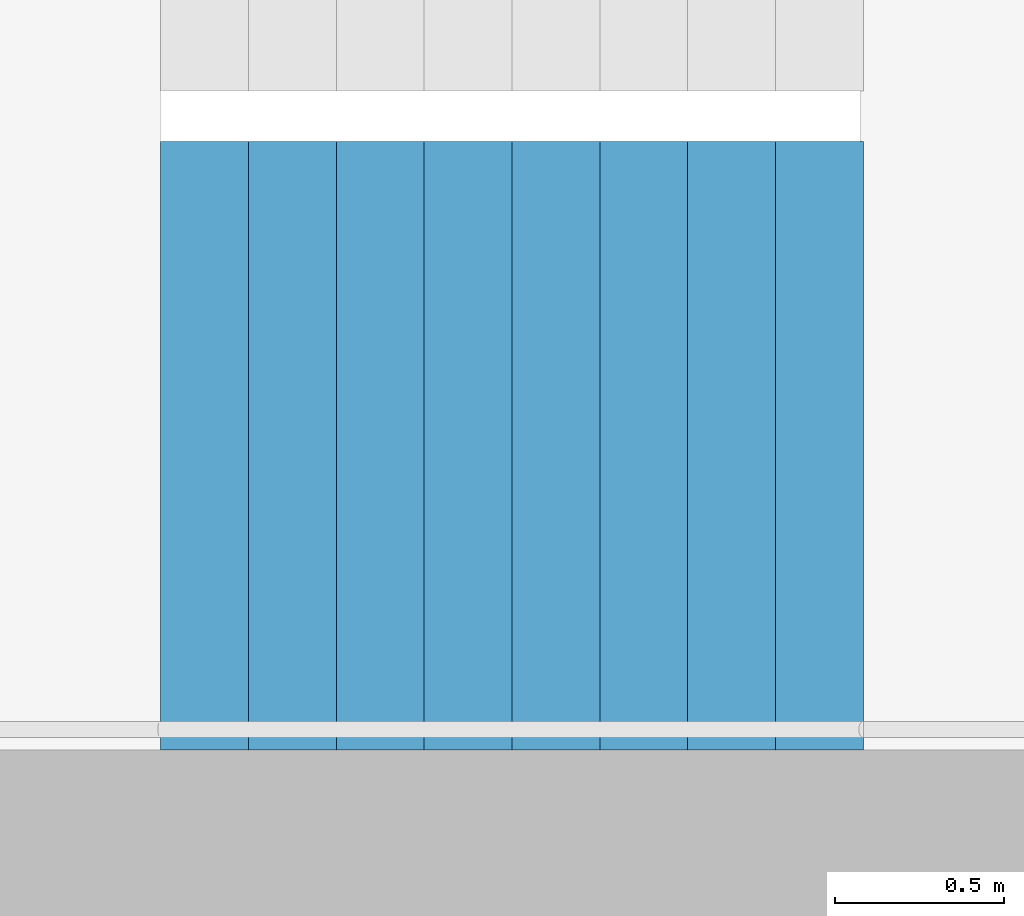
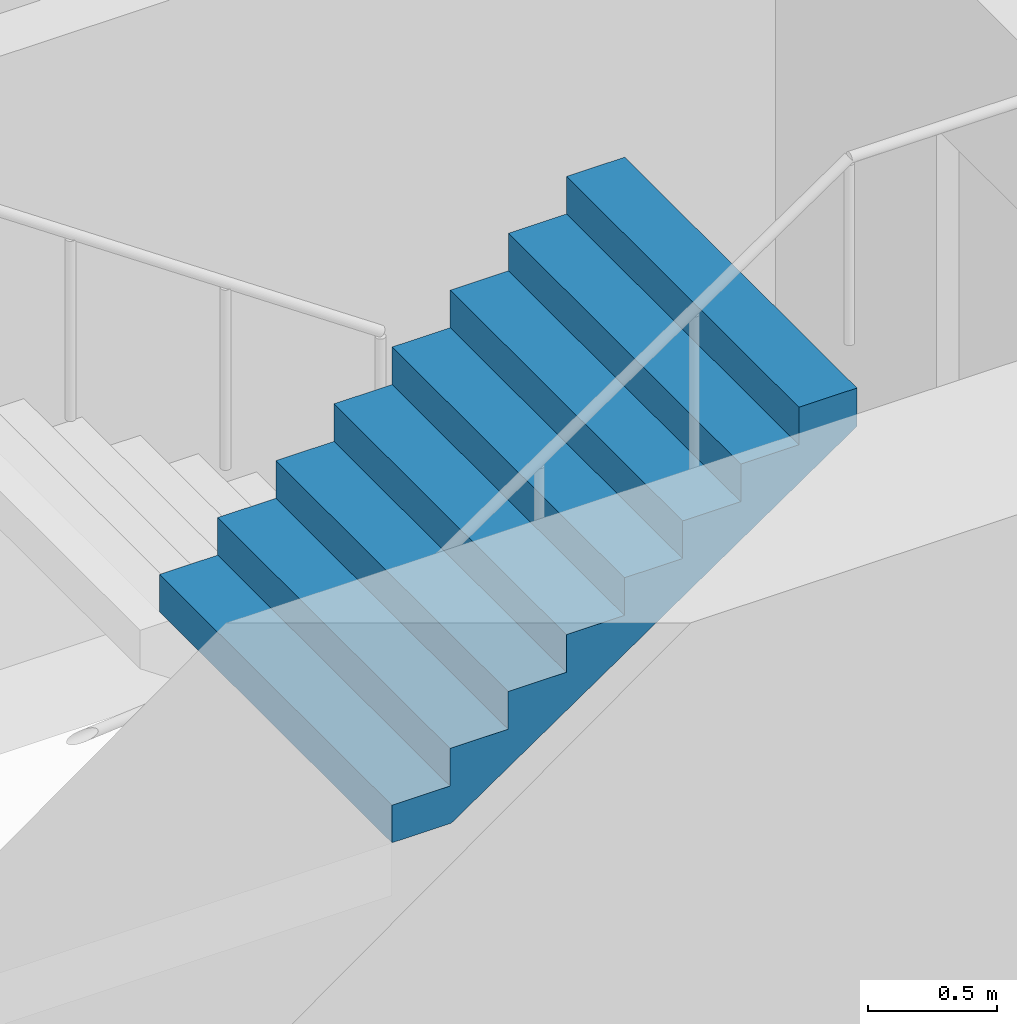
# One storey, part 21 of 29: 1 stair flight, 1 element without a shape of its own.
"""IFC4 building model written with IfcOpenShell, lengths in metres."""

from ifc_helpers import new_model, si_unit, direction, frame, origin, place, context, subcontext, project, spatial, triangles, material, type_object, element, aggregate, save


model = new_model("IFC4")

# Units and contexts
model_context = context("Model", 3, precision=1e-05, world=origin(), true_north=direction((0.0, 1.0)))
body_context = subcontext(model_context, "Body", "Model", "MODEL_VIEW")
ifc_project = project(units=[si_unit("LENGTHUNIT", "METRE"), si_unit("AREAUNIT", "SQUARE_METRE"), si_unit("VOLUMEUNIT", "CUBIC_METRE"), si_unit("PLANEANGLEUNIT", "RADIAN"), si_unit("MASSUNIT", "GRAM", prefix="KILO")], contexts=[model_context])

# Site, building, storey
site_placement = place(None, origin())
site = spatial("IfcSite", under=ifc_project, at=site_placement, CompositionType="ELEMENT")
building_placement = place(site_placement, origin())
building = spatial("IfcBuilding", under=site, at=building_placement, Name="Hakoniwa Tower and Hamabe Station Hall", CompositionType="ELEMENT")
storey_placement = place(building_placement, frame((0.0, 0.0, 61.39990234375)))
storey = spatial("IfcBuildingStorey", under=building, at=storey_placement, Name="L17", CompositionType="ELEMENT", Elevation=61.39990234375)

# Stair, stair flight
ifc_material_1 = material(Name="Concrete C40", Category="concrete")
stair_type = type_object("IfcStairType", Name="ESCAPE STAIR 1800", PredefinedType="HALF_TURN_STAIR", material=ifc_material_1)
stair_placement = place(storey_placement, origin())
stair = element("IfcStair", 1, at=stair_placement, inside=storey, type_object=stair_type, Name="Escape stair ST-2 L17", PredefinedType="HALF_TURN_STAIR")
ifc_material_2 = material(Name="Concrete C40", Category="concrete")
stair_flight_type = type_object("IfcStairFlightType", Name="STAIR FLIGHT 1800", PredefinedType="STRAIGHT", material=ifc_material_2)
stair_flight_placement = place(storey_placement, frame((-25.47998046875, -6.60009765625, 1.60009765625), z_axis=(0.0, 0.0, 1.0), x_axis=(1.0, 0.0, 0.0)))
stair_flight = element("IfcStairFlight", 2, at=stair_flight_placement, type_object=stair_flight_type, Name="ST-2 flight 2", NumberOfRisers=9, NumberOfTreads=8, PredefinedType="STRAIGHT", RiserHeight=0.177777778, TreadLength=0.26, context=body_context, shape_type="Tessellation", body=[
    triangles([(0.0, 0.89990234375, 0.0), (0.260009765625, 0.89990234375, 0.0), (0.265625, 0.89990234375, 0.0), (0.52001953125, 0.89990234375, 0.174072265625), (0.780029296875, 0.89990234375, 0.351806640625), (1.0400390625, 0.89990234375, 0.529541015625), (1.300048828125, 0.89990234375, 0.707275390625), (1.56005859375, 0.89990234375, 0.885009765625), (1.820068359375, 0.89990234375, 1.062744140625), (2.080078125, 0.89990234375, 1.24072265625), (2.080078125, 0.89990234375, 1.422119140625), (1.820068359375, 0.89990234375, 1.422119140625), (1.820068359375, 0.89990234375, 1.244384765625), (1.56005859375, 0.89990234375, 1.244384765625), (1.56005859375, 0.89990234375, 1.066650390625), (1.300048828125, 0.89990234375, 1.066650390625), (1.300048828125, 0.89990234375, 0.888916015625), (1.0400390625, 0.89990234375, 0.888916015625), (1.0400390625, 0.89990234375, 0.711181640625), (0.780029296875, 0.89990234375, 0.711181640625), (0.780029296875, 0.89990234375, 0.533447265625), (0.52001953125, 0.89990234375, 0.533447265625), (0.52001953125, 0.89990234375, 0.35546875), (0.265625, 0.89990234375, 0.35546875), (0.260009765625, 0.89990234375, 0.35546875), (0.260009765625, 0.89990234375, 0.177734375), (0.0, 0.89990234375, 0.177734375), (0.0, 0.06005859375, 0.0), (0.260009765625, 0.06005859375, 0.0), (0.265625, 0.06005859375, 0.0), (0.52001953125, 0.06005859375, 0.174072265625), (0.780029296875, 0.06005859375, 0.351806640625), (1.0400390625, 0.06005859375, 0.529541015625), (1.300048828125, 0.06005859375, 0.707275390625), (1.56005859375, 0.06005859375, 0.885009765625), (1.820068359375, 0.06005859375, 1.062744140625), (2.080078125, 0.06005859375, 1.24072265625), (2.080078125, 0.06005859375, 1.422119140625), (1.820068359375, 0.06005859375, 1.422119140625), (1.820068359375, 0.06005859375, 1.244384765625), (1.56005859375, 0.06005859375, 1.244384765625), (1.56005859375, 0.06005859375, 1.066650390625), (1.300048828125, 0.06005859375, 1.066650390625), (1.300048828125, 0.06005859375, 0.888916015625), (1.0400390625, 0.06005859375, 0.888916015625), (1.0400390625, 0.06005859375, 0.711181640625), (0.780029296875, 0.06005859375, 0.711181640625), (0.780029296875, 0.06005859375, 0.533447265625), (0.52001953125, 0.06005859375, 0.533447265625), (0.52001953125, 0.06005859375, 0.35546875), (0.265625, 0.06005859375, 0.35546875), (0.260009765625, 0.06005859375, 0.35546875), (0.260009765625, 0.06005859375, 0.177734375), (0.0, 0.06005859375, 0.177734375), (0.0, 0.04296875, 0.0), (0.260009765625, 0.04296875, 0.0), (0.265625, 0.04296875, 0.0), (0.52001953125, 0.04296875, 0.174072265625), (0.780029296875, 0.04296875, 0.351806640625), (1.0400390625, 0.04296875, 0.529541015625), (1.300048828125, 0.04296875, 0.707275390625), (1.56005859375, 0.04296875, 0.885009765625), (1.820068359375, 0.04296875, 1.062744140625), (2.080078125, 0.04296875, 1.24072265625), (2.080078125, 0.04296875, 1.422119140625), (1.820068359375, 0.04296875, 1.422119140625), (1.820068359375, 0.04296875, 1.244384765625), (1.56005859375, 0.04296875, 1.244384765625), (1.56005859375, 0.04296875, 1.066650390625), (1.300048828125, 0.04296875, 1.066650390625), (1.300048828125, 0.04296875, 0.888916015625), (1.0400390625, 0.04296875, 0.888916015625), (1.0400390625, 0.04296875, 0.711181640625), (0.780029296875, 0.04296875, 0.711181640625), (0.780029296875, 0.04296875, 0.533447265625), (0.52001953125, 0.04296875, 0.533447265625), (0.52001953125, 0.04296875, 0.35546875), (0.265625, 0.04296875, 0.35546875), (0.260009765625, 0.04296875, 0.35546875), (0.260009765625, 0.04296875, 0.177734375), (0.0, 0.04296875, 0.177734375), (0.0, 0.025634765625, 0.0), (0.260009765625, 0.025634765625, 0.0), (0.265625, 0.025634765625, 0.0), (0.52001953125, 0.025634765625, 0.174072265625), (0.780029296875, 0.025634765625, 0.351806640625), (1.0400390625, 0.025634765625, 0.529541015625), (1.300048828125, 0.025634765625, 0.707275390625), (1.56005859375, 0.025634765625, 0.885009765625), (1.820068359375, 0.025634765625, 1.062744140625), (2.080078125, 0.025634765625, 1.24072265625), (2.080078125, 0.025634765625, 1.422119140625), (1.820068359375, 0.025634765625, 1.422119140625), (1.820068359375, 0.025634765625, 1.244384765625), (1.56005859375, 0.025634765625, 1.244384765625), (1.56005859375, 0.025634765625, 1.066650390625), (1.300048828125, 0.025634765625, 1.066650390625), (1.300048828125, 0.025634765625, 0.888916015625), (1.0400390625, 0.025634765625, 0.888916015625), (1.0400390625, 0.025634765625, 0.711181640625), (0.780029296875, 0.025634765625, 0.711181640625), (0.780029296875, 0.025634765625, 0.533447265625), (0.52001953125, 0.025634765625, 0.533447265625), (0.52001953125, 0.025634765625, 0.35546875), (0.265625, 0.025634765625, 0.35546875), (0.260009765625, 0.025634765625, 0.35546875), (0.260009765625, 0.025634765625, 0.177734375), (0.0, 0.025634765625, 0.177734375), (0.0, 0.008544921875, 0.0), (0.260009765625, 0.008544921875, 0.0), (0.265625, 0.008544921875, 0.0), (0.52001953125, 0.008544921875, 0.174072265625), (0.780029296875, 0.008544921875, 0.351806640625), (1.0400390625, 0.008544921875, 0.529541015625), (1.300048828125, 0.008544921875, 0.707275390625), (1.56005859375, 0.008544921875, 0.885009765625), (1.820068359375, 0.008544921875, 1.062744140625), (2.080078125, 0.008544921875, 1.24072265625), (2.080078125, 0.008544921875, 1.422119140625), (1.820068359375, 0.008544921875, 1.422119140625), (1.820068359375, 0.008544921875, 1.244384765625), (1.56005859375, 0.008544921875, 1.244384765625), (1.56005859375, 0.008544921875, 1.066650390625), (1.300048828125, 0.008544921875, 1.066650390625), (1.300048828125, 0.008544921875, 0.888916015625), (1.0400390625, 0.008544921875, 0.888916015625), (1.0400390625, 0.008544921875, 0.711181640625), (0.780029296875, 0.008544921875, 0.711181640625), (0.780029296875, 0.008544921875, 0.533447265625), (0.52001953125, 0.008544921875, 0.533447265625), (0.52001953125, 0.008544921875, 0.35546875), (0.265625, 0.008544921875, 0.35546875), (0.260009765625, 0.008544921875, 0.35546875), (0.260009765625, 0.008544921875, 0.177734375), (0.0, 0.008544921875, 0.177734375), (0.0, -0.008544921875, 0.0), (0.260009765625, -0.008544921875, 0.0), (0.265625, -0.008544921875, 0.0), (0.52001953125, -0.008544921875, 0.174072265625), (0.780029296875, -0.008544921875, 0.351806640625), (1.0400390625, -0.008544921875, 0.529541015625), (1.300048828125, -0.008544921875, 0.707275390625), (1.56005859375, -0.008544921875, 0.885009765625), (1.820068359375, -0.008544921875, 1.062744140625), (2.080078125, -0.008544921875, 1.24072265625), (2.080078125, -0.008544921875, 1.422119140625), (1.820068359375, -0.008544921875, 1.422119140625), (1.820068359375, -0.008544921875, 1.244384765625), (1.56005859375, -0.008544921875, 1.244384765625), (1.56005859375, -0.008544921875, 1.066650390625), (1.300048828125, -0.008544921875, 1.066650390625), (1.300048828125, -0.008544921875, 0.888916015625), (1.0400390625, -0.008544921875, 0.888916015625), (1.0400390625, -0.008544921875, 0.711181640625), (0.780029296875, -0.008544921875, 0.711181640625), (0.780029296875, -0.008544921875, 0.533447265625), (0.52001953125, -0.008544921875, 0.533447265625), (0.52001953125, -0.008544921875, 0.35546875), (0.265625, -0.008544921875, 0.35546875), (0.260009765625, -0.008544921875, 0.35546875), (0.260009765625, -0.008544921875, 0.177734375), (0.0, -0.008544921875, 0.177734375), (0.0, -0.025634765625, 0.0), (0.260009765625, -0.025634765625, 0.0), (0.265625, -0.025634765625, 0.0), (0.52001953125, -0.025634765625, 0.174072265625), (0.780029296875, -0.025634765625, 0.351806640625), (1.0400390625, -0.025634765625, 0.529541015625), (1.300048828125, -0.025634765625, 0.707275390625), (1.56005859375, -0.025634765625, 0.885009765625), (1.820068359375, -0.025634765625, 1.062744140625), (2.080078125, -0.025634765625, 1.24072265625), (2.080078125, -0.025634765625, 1.422119140625), (1.820068359375, -0.025634765625, 1.422119140625), (1.820068359375, -0.025634765625, 1.244384765625), (1.56005859375, -0.025634765625, 1.244384765625), (1.56005859375, -0.025634765625, 1.066650390625), (1.300048828125, -0.025634765625, 1.066650390625), (1.300048828125, -0.025634765625, 0.888916015625), (1.0400390625, -0.025634765625, 0.888916015625), (1.0400390625, -0.025634765625, 0.711181640625), (0.780029296875, -0.025634765625, 0.711181640625), (0.780029296875, -0.025634765625, 0.533447265625), (0.52001953125, -0.025634765625, 0.533447265625), (0.52001953125, -0.025634765625, 0.35546875), (0.265625, -0.025634765625, 0.35546875), (0.260009765625, -0.025634765625, 0.35546875), (0.260009765625, -0.025634765625, 0.177734375), (0.0, -0.025634765625, 0.177734375), (0.0, -0.04296875, 0.0), (0.260009765625, -0.04296875, 0.0), (0.265625, -0.04296875, 0.0), (0.52001953125, -0.04296875, 0.174072265625), (0.780029296875, -0.04296875, 0.351806640625), (1.0400390625, -0.04296875, 0.529541015625), (1.300048828125, -0.04296875, 0.707275390625), (1.56005859375, -0.04296875, 0.885009765625), (1.820068359375, -0.04296875, 1.062744140625), (2.080078125, -0.04296875, 1.24072265625), (2.080078125, -0.04296875, 1.422119140625), (1.820068359375, -0.04296875, 1.422119140625), (1.820068359375, -0.04296875, 1.244384765625), (1.56005859375, -0.04296875, 1.244384765625), (1.56005859375, -0.04296875, 1.066650390625), (1.300048828125, -0.04296875, 1.066650390625), (1.300048828125, -0.04296875, 0.888916015625), (1.0400390625, -0.04296875, 0.888916015625), (1.0400390625, -0.04296875, 0.711181640625), (0.780029296875, -0.04296875, 0.711181640625), (0.780029296875, -0.04296875, 0.533447265625), (0.52001953125, -0.04296875, 0.533447265625), (0.52001953125, -0.04296875, 0.35546875), (0.265625, -0.04296875, 0.35546875), (0.260009765625, -0.04296875, 0.35546875), (0.260009765625, -0.04296875, 0.177734375), (0.0, -0.04296875, 0.177734375), (0.0, -0.06005859375, 0.0), (0.260009765625, -0.06005859375, 0.0), (0.265625, -0.06005859375, 0.0), (0.52001953125, -0.06005859375, 0.174072265625), (0.780029296875, -0.06005859375, 0.351806640625), (1.0400390625, -0.06005859375, 0.529541015625), (1.300048828125, -0.06005859375, 0.707275390625), (1.56005859375, -0.06005859375, 0.885009765625), (1.820068359375, -0.06005859375, 1.062744140625), (2.080078125, -0.06005859375, 1.24072265625), (2.080078125, -0.06005859375, 1.422119140625), (1.820068359375, -0.06005859375, 1.422119140625), (1.820068359375, -0.06005859375, 1.244384765625), (1.56005859375, -0.06005859375, 1.244384765625), (1.56005859375, -0.06005859375, 1.066650390625), (1.300048828125, -0.06005859375, 1.066650390625), (1.300048828125, -0.06005859375, 0.888916015625), (1.0400390625, -0.06005859375, 0.888916015625), (1.0400390625, -0.06005859375, 0.711181640625), (0.780029296875, -0.06005859375, 0.711181640625), (0.780029296875, -0.06005859375, 0.533447265625), (0.52001953125, -0.06005859375, 0.533447265625), (0.52001953125, -0.06005859375, 0.35546875), (0.265625, -0.06005859375, 0.35546875), (0.260009765625, -0.06005859375, 0.35546875), (0.260009765625, -0.06005859375, 0.177734375), (0.0, -0.06005859375, 0.177734375), (0.0, -0.89990234375, 0.0), (0.260009765625, -0.89990234375, 0.0), (0.265625, -0.89990234375, 0.0), (0.52001953125, -0.89990234375, 0.174072265625), (0.780029296875, -0.89990234375, 0.351806640625), (1.0400390625, -0.89990234375, 0.529541015625), (1.300048828125, -0.89990234375, 0.707275390625), (1.56005859375, -0.89990234375, 0.885009765625), (1.820068359375, -0.89990234375, 1.062744140625), (2.080078125, -0.89990234375, 1.24072265625), (2.080078125, -0.89990234375, 1.422119140625), (1.820068359375, -0.89990234375, 1.422119140625), (1.820068359375, -0.89990234375, 1.244384765625), (1.56005859375, -0.89990234375, 1.244384765625), (1.56005859375, -0.89990234375, 1.066650390625), (1.300048828125, -0.89990234375, 1.066650390625), (1.300048828125, -0.89990234375, 0.888916015625), (1.0400390625, -0.89990234375, 0.888916015625), (1.0400390625, -0.89990234375, 0.711181640625), (0.780029296875, -0.89990234375, 0.711181640625), (0.780029296875, -0.89990234375, 0.533447265625), (0.52001953125, -0.89990234375, 0.533447265625), (0.52001953125, -0.89990234375, 0.35546875), (0.265625, -0.89990234375, 0.35546875), (0.260009765625, -0.89990234375, 0.35546875), (0.260009765625, -0.89990234375, 0.177734375), (0.0, -0.89990234375, 0.177734375)], [[2, 27, 26], [245, 269, 270], [2, 1, 27], [245, 270, 244], [3, 25, 24], [246, 267, 268], [3, 26, 25], [246, 268, 269], [3, 2, 26], [246, 269, 245], [4, 24, 23], [247, 266, 267], [4, 3, 24], [247, 267, 246], [5, 22, 21], [248, 264, 265], [5, 23, 22], [248, 265, 266], [5, 4, 23], [248, 266, 247], [6, 20, 19], [249, 262, 263], [6, 21, 20], [249, 263, 264], [6, 5, 21], [249, 264, 248], [7, 18, 17], [250, 260, 261], [7, 19, 18], [250, 261, 262], [7, 6, 19], [250, 262, 249], [8, 16, 15], [251, 258, 259], [8, 17, 16], [251, 259, 260], [8, 7, 17], [251, 260, 250], [9, 14, 13], [252, 256, 257], [9, 15, 14], [252, 257, 258], [9, 8, 15], [252, 258, 251], [10, 12, 11], [253, 254, 255], [10, 13, 12], [253, 255, 256], [10, 9, 13], [253, 256, 252], [1, 2, 29], [1, 29, 28], [28, 29, 56], [28, 56, 55], [55, 56, 83], [55, 83, 82], [82, 83, 110], [82, 110, 109], [109, 110, 137], [109, 137, 136], [136, 137, 164], [136, 164, 163], [163, 164, 191], [163, 191, 190], [190, 191, 218], [190, 218, 217], [217, 218, 245], [217, 245, 244], [2, 3, 30], [2, 30, 29], [29, 30, 57], [29, 57, 56], [56, 57, 84], [56, 84, 83], [83, 84, 111], [83, 111, 110], [110, 111, 138], [110, 138, 137], [137, 138, 165], [137, 165, 164], [164, 165, 192], [164, 192, 191], [191, 192, 219], [191, 219, 218], [218, 219, 246], [218, 246, 245], [3, 4, 31], [3, 31, 30], [30, 31, 58], [30, 58, 57], [57, 58, 85], [57, 85, 84], [84, 85, 112], [84, 112, 111], [111, 112, 139], [111, 139, 138], [138, 139, 166], [138, 166, 165], [165, 166, 193], [165, 193, 192], [192, 193, 220], [192, 220, 219], [219, 220, 247], [219, 247, 246], [4, 5, 32], [4, 32, 31], [31, 32, 59], [31, 59, 58], [58, 59, 86], [58, 86, 85], [85, 86, 113], [85, 113, 112], [112, 113, 140], [112, 140, 139], [139, 140, 167], [139, 167, 166], [166, 167, 194], [166, 194, 193], [193, 194, 221], [193, 221, 220], [220, 221, 248], [220, 248, 247], [5, 6, 33], [5, 33, 32], [32, 33, 60], [32, 60, 59], [59, 60, 87], [59, 87, 86], [86, 87, 114], [86, 114, 113], [113, 114, 141], [113, 141, 140], [140, 141, 168], [140, 168, 167], [167, 168, 195], [167, 195, 194], [194, 195, 222], [194, 222, 221], [221, 222, 249], [221, 249, 248], [6, 7, 34], [6, 34, 33], [33, 34, 61], [33, 61, 60], [60, 61, 88], [60, 88, 87], [87, 88, 115], [87, 115, 114], [114, 115, 142], [114, 142, 141], [141, 142, 169], [141, 169, 168], [168, 169, 196], [168, 196, 195], [195, 196, 223], [195, 223, 222], [222, 223, 250], [222, 250, 249], [7, 8, 35], [7, 35, 34], [34, 35, 62], [34, 62, 61], [61, 62, 89], [61, 89, 88], [88, 89, 116], [88, 116, 115], [115, 116, 143], [115, 143, 142], [142, 143, 170], [142, 170, 169], [169, 170, 197], [169, 197, 196], [196, 197, 224], [196, 224, 223], [223, 224, 251], [223, 251, 250], [8, 9, 36], [8, 36, 35], [35, 36, 63], [35, 63, 62], [62, 63, 90], [62, 90, 89], [89, 90, 117], [89, 117, 116], [116, 117, 144], [116, 144, 143], [143, 144, 171], [143, 171, 170], [170, 171, 198], [170, 198, 197], [197, 198, 225], [197, 225, 224], [224, 225, 252], [224, 252, 251], [9, 10, 37], [9, 37, 36], [36, 37, 64], [36, 64, 63], [63, 64, 91], [63, 91, 90], [90, 91, 118], [90, 118, 117], [117, 118, 145], [117, 145, 144], [144, 145, 172], [144, 172, 171], [171, 172, 199], [171, 199, 198], [198, 199, 226], [198, 226, 225], [225, 226, 253], [225, 253, 252], [10, 11, 38], [10, 38, 37], [37, 38, 65], [37, 65, 64], [64, 65, 92], [64, 92, 91], [91, 92, 119], [91, 119, 118], [118, 119, 146], [118, 146, 145], [145, 146, 173], [145, 173, 172], [172, 173, 200], [172, 200, 199], [199, 200, 227], [199, 227, 226], [226, 227, 254], [226, 254, 253], [11, 12, 39], [11, 39, 38], [38, 39, 66], [38, 66, 65], [65, 66, 93], [65, 93, 92], [92, 93, 120], [92, 120, 119], [119, 120, 147], [119, 147, 146], [146, 147, 174], [146, 174, 173], [173, 174, 201], [173, 201, 200], [200, 201, 228], [200, 228, 227], [227, 228, 255], [227, 255, 254], [12, 13, 40], [12, 40, 39], [39, 40, 67], [39, 67, 66], [66, 67, 94], [66, 94, 93], [93, 94, 121], [93, 121, 120], [120, 121, 148], [120, 148, 147], [147, 148, 175], [147, 175, 174], [174, 175, 202], [174, 202, 201], [201, 202, 229], [201, 229, 228], [228, 229, 256], [228, 256, 255], [13, 14, 41], [13, 41, 40], [40, 41, 68], [40, 68, 67], [67, 68, 95], [67, 95, 94], [94, 95, 122], [94, 122, 121], [121, 122, 149], [121, 149, 148], [148, 149, 176], [148, 176, 175], [175, 176, 203], [175, 203, 202], [202, 203, 230], [202, 230, 229], [229, 230, 257], [229, 257, 256], [14, 15, 42], [14, 42, 41], [41, 42, 69], [41, 69, 68], [68, 69, 96], [68, 96, 95], [95, 96, 123], [95, 123, 122], [122, 123, 150], [122, 150, 149], [149, 150, 177], [149, 177, 176], [176, 177, 204], [176, 204, 203], [203, 204, 231], [203, 231, 230], [230, 231, 258], [230, 258, 257], [15, 16, 43], [15, 43, 42], [42, 43, 70], [42, 70, 69], [69, 70, 97], [69, 97, 96], [96, 97, 124], [96, 124, 123], [123, 124, 151], [123, 151, 150], [150, 151, 178], [150, 178, 177], [177, 178, 205], [177, 205, 204], [204, 205, 232], [204, 232, 231], [231, 232, 259], [231, 259, 258], [16, 17, 44], [16, 44, 43], [43, 44, 71], [43, 71, 70], [70, 71, 98], [70, 98, 97], [97, 98, 125], [97, 125, 124], [124, 125, 152], [124, 152, 151], [151, 152, 179], [151, 179, 178], [178, 179, 206], [178, 206, 205], [205, 206, 233], [205, 233, 232], [232, 233, 260], [232, 260, 259], [17, 18, 45], [17, 45, 44], [44, 45, 72], [44, 72, 71], [71, 72, 99], [71, 99, 98], [98, 99, 126], [98, 126, 125], [125, 126, 153], [125, 153, 152], [152, 153, 180], [152, 180, 179], [179, 180, 207], [179, 207, 206], [206, 207, 234], [206, 234, 233], [233, 234, 261], [233, 261, 260], [18, 19, 46], [18, 46, 45], [45, 46, 73], [45, 73, 72], [72, 73, 100], [72, 100, 99], [99, 100, 127], [99, 127, 126], [126, 127, 154], [126, 154, 153], [153, 154, 181], [153, 181, 180], [180, 181, 208], [180, 208, 207], [207, 208, 235], [207, 235, 234], [234, 235, 262], [234, 262, 261], [19, 20, 47], [19, 47, 46], [46, 47, 74], [46, 74, 73], [73, 74, 101], [73, 101, 100], [100, 101, 128], [100, 128, 127], [127, 128, 155], [127, 155, 154], [154, 155, 182], [154, 182, 181], [181, 182, 209], [181, 209, 208], [208, 209, 236], [208, 236, 235], [235, 236, 263], [235, 263, 262], [20, 21, 48], [20, 48, 47], [47, 48, 75], [47, 75, 74], [74, 75, 102], [74, 102, 101], [101, 102, 129], [101, 129, 128], [128, 129, 156], [128, 156, 155], [155, 156, 183], [155, 183, 182], [182, 183, 210], [182, 210, 209], [209, 210, 237], [209, 237, 236], [236, 237, 264], [236, 264, 263], [21, 22, 49], [21, 49, 48], [48, 49, 76], [48, 76, 75], [75, 76, 103], [75, 103, 102], [102, 103, 130], [102, 130, 129], [129, 130, 157], [129, 157, 156], [156, 157, 184], [156, 184, 183], [183, 184, 211], [183, 211, 210], [210, 211, 238], [210, 238, 237], [237, 238, 265], [237, 265, 264], [22, 23, 50], [22, 50, 49], [49, 50, 77], [49, 77, 76], [76, 77, 104], [76, 104, 103], [103, 104, 131], [103, 131, 130], [130, 131, 158], [130, 158, 157], [157, 158, 185], [157, 185, 184], [184, 185, 212], [184, 212, 211], [211, 212, 239], [211, 239, 238], [238, 239, 266], [238, 266, 265], [23, 24, 51], [23, 51, 50], [50, 51, 78], [50, 78, 77], [77, 78, 105], [77, 105, 104], [104, 105, 132], [104, 132, 131], [131, 132, 159], [131, 159, 158], [158, 159, 186], [158, 186, 185], [185, 186, 213], [185, 213, 212], [212, 213, 240], [212, 240, 239], [239, 240, 267], [239, 267, 266], [24, 25, 52], [24, 52, 51], [51, 52, 79], [51, 79, 78], [78, 79, 106], [78, 106, 105], [105, 106, 133], [105, 133, 132], [132, 133, 160], [132, 160, 159], [159, 160, 187], [159, 187, 186], [186, 187, 214], [186, 214, 213], [213, 214, 241], [213, 241, 240], [240, 241, 268], [240, 268, 267], [25, 26, 53], [25, 53, 52], [52, 53, 80], [52, 80, 79], [79, 80, 107], [79, 107, 106], [106, 107, 134], [106, 134, 133], [133, 134, 161], [133, 161, 160], [160, 161, 188], [160, 188, 187], [187, 188, 215], [187, 215, 214], [214, 215, 242], [214, 242, 241], [241, 242, 269], [241, 269, 268], [26, 27, 54], [26, 54, 53], [53, 54, 81], [53, 81, 80], [80, 81, 108], [80, 108, 107], [107, 108, 135], [107, 135, 134], [134, 135, 162], [134, 162, 161], [161, 162, 189], [161, 189, 188], [188, 189, 216], [188, 216, 215], [215, 216, 243], [215, 243, 242], [242, 243, 270], [242, 270, 269], [27, 1, 28], [27, 28, 54], [54, 28, 55], [54, 55, 81], [81, 55, 82], [81, 82, 108], [108, 82, 109], [108, 109, 135], [135, 109, 136], [135, 136, 162], [162, 136, 163], [162, 163, 189], [189, 163, 190], [189, 190, 216], [216, 190, 217], [216, 217, 243], [243, 217, 244], [243, 244, 270]], closed=True),
])
aggregate(stair, [stair_flight])

save(model, "model.ifc")
